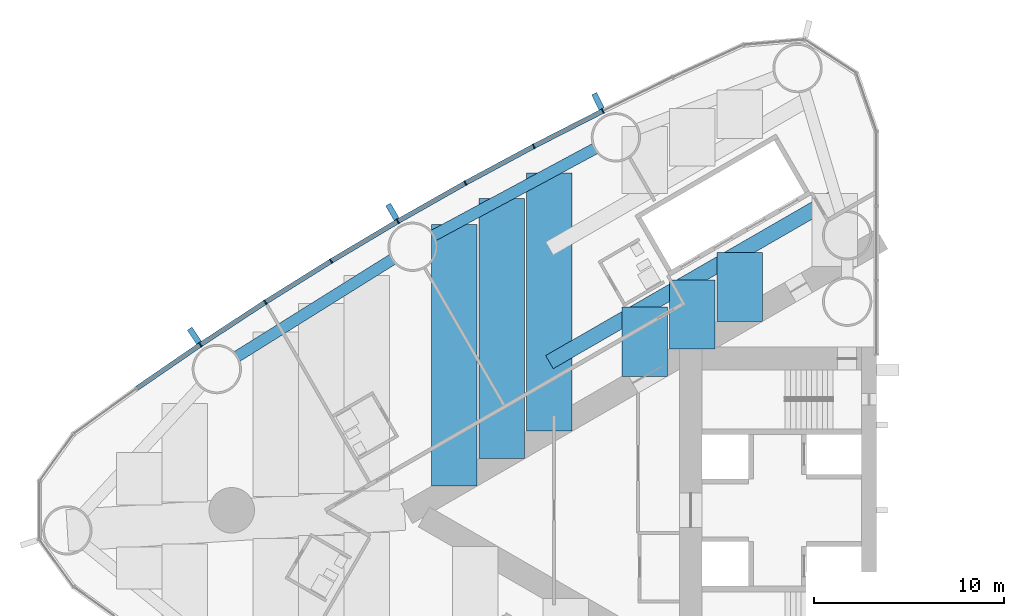
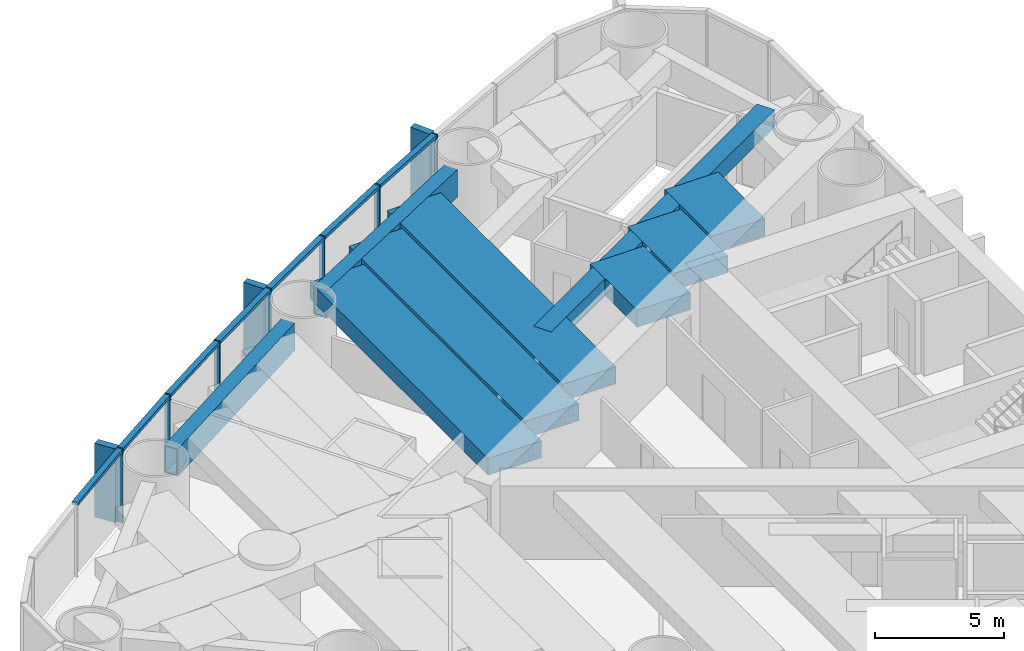
# One storey, part 4 of 18: 17 members, 9 beams, 1 element without a shape of its own.
"""IFC4 building model written with IfcOpenShell, lengths in metres."""

from ifc_helpers import new_model, si_unit, direction, frame, origin, origin_2d, place, context, subcontext, project, spatial, rectangle, hollow_rectangle, extrude, material, material_profile, profile_set, type_object, element, aggregate, save


model = new_model("IFC4")

# Units and contexts
model_context = context("Model", 3, precision=1e-05, world=origin(), true_north=direction((0.0, 1.0)))
body_context = subcontext(model_context, "Body", "Model", "MODEL_VIEW")
ifc_project = project(units=[si_unit("LENGTHUNIT", "METRE"), si_unit("AREAUNIT", "SQUARE_METRE"), si_unit("VOLUMEUNIT", "CUBIC_METRE"), si_unit("PLANEANGLEUNIT", "RADIAN"), si_unit("MASSUNIT", "GRAM", prefix="KILO")], contexts=[model_context])

# Site, building, storey
site_placement = place(None, origin())
site = spatial("IfcSite", under=ifc_project, at=site_placement, CompositionType="ELEMENT")
building_placement = place(site_placement, origin())
building = spatial("IfcBuilding", under=site, at=building_placement, Name="Lancet Gate Hotel", CompositionType="ELEMENT")
storey_placement = place(building_placement, frame((0.0, 0.0, 139.60009765625)))
storey = spatial("IfcBuildingStorey", under=building, at=storey_placement, Name="L37", CompositionType="ELEMENT", Elevation=139.60009765625)

# Curtain wall, members
ifc_material_1 = material(Name="Aluminium curtain wall", Category="aluminium")
curtain_wall_type = type_object("IfcCurtainWallType", Name="Tower unitised curtain wall", PredefinedType="USERDEFINED", material=ifc_material_1)
curtain_wall_placement = place(storey_placement, origin())
curtain_wall = element("IfcCurtainWall", 1, at=curtain_wall_placement, inside=storey, type_object=curtain_wall_type, Name="T1 L37 curtain wall 1", ObjectType="UNITISED CURTAIN WALL", PredefinedType="USERDEFINED")
ifc_material_2 = material(Name="Aluminium mullion", Category="aluminium")
ifc_material_profile_1 = material_profile(ifc_material_2, rectangle(XDim=0.06494140625, YDim=0.25, at=origin_2d()), Name="MULLION 65x250")
ifc_profile_set_1 = profile_set([ifc_material_profile_1], Name="Aluminium mullion")
member_type_1 = type_object("IfcMemberType", Name="Aluminium mullion 65x250", PredefinedType="MULLION", material=ifc_profile_set_1)
member_1_placement = place(storey_placement, frame((-41.935302734375, 21.053466796875, 0.0), z_axis=(0.0, 0.0, 1.0), x_axis=(-0.895339445458, -0.445384415317, 0.0)))
member_1 = element("IfcMember", 2, at=member_1_placement, type_object=member_type_1, Name="T1 L37 curtain wall 1 mullion 9", PredefinedType="MULLION", context=body_context, shape_type="SweptSolid", body=[
    extrude(rectangle(XDim=0.06494140625, YDim=0.25, at=origin_2d()), origin(), (0.0, 0.0, 1.0), 3.5),
])
member_2_placement = place(storey_placement, frame((-45.578857421875, 19.19189453125, 0.0), z_axis=(0.0, 0.0, 1.0), x_axis=(-0.885544335517, -0.46455487279, 0.0)))
member_2 = element("IfcMember", 3, at=member_2_placement, type_object=member_type_1, Name="T1 L37 curtain wall 1 mullion 10", PredefinedType="MULLION", context=body_context, shape_type="SweptSolid", body=[
    extrude(rectangle(XDim=0.06494140625, YDim=0.25, at=origin_2d()), origin(), (0.0, 0.0, 1.0), 3.5),
])
member_3_placement = place(storey_placement, frame((-49.181640625, 17.252197265625, 0.0), z_axis=(0.0, 0.0, 1.0), x_axis=(-0.875338819507, -0.48351003202, 0.0)))
member_3 = element("IfcMember", 4, at=member_3_placement, type_object=member_type_1, Name="T1 L37 curtain wall 1 mullion 11", PredefinedType="MULLION", context=body_context, shape_type="SweptSolid", body=[
    extrude(rectangle(XDim=0.06494140625, YDim=0.25, at=origin_2d()), origin(), (0.0, 0.0, 1.0), 3.5),
])
member_4_placement = place(storey_placement, frame((-52.74169921875, 15.2353515625, 0.0), z_axis=(0.0, 0.0, 1.0), x_axis=(-0.86472762718, -0.502241108226, 0.0)))
member_4 = element("IfcMember", 5, at=member_4_placement, type_object=member_type_1, Name="T1 L37 curtain wall 1 mullion 12", PredefinedType="MULLION", context=body_context, shape_type="SweptSolid", body=[
    extrude(rectangle(XDim=0.06494140625, YDim=0.25, at=origin_2d()), origin(), (0.0, 0.0, 1.0), 3.5),
])
member_5_placement = place(storey_placement, frame((-56.257568359375, 13.142333984375, 0.0), z_axis=(0.0, 0.0, 1.0), x_axis=(-0.853715676299, -0.52073942048, 0.0)))
member_5 = element("IfcMember", 6, at=member_5_placement, type_object=member_type_1, Name="T1 L37 curtain wall 1 mullion 13", PredefinedType="MULLION", context=body_context, shape_type="SweptSolid", body=[
    extrude(rectangle(XDim=0.06494140625, YDim=0.25, at=origin_2d()), origin(), (0.0, 0.0, 1.0), 3.5),
])
member_6_placement = place(storey_placement, frame((-59.7275390625, 10.974365234375, 0.0), z_axis=(0.0, 0.0, 1.0), x_axis=(-0.84230807036, -0.538996395727, 0.0)))
member_6 = element("IfcMember", 7, at=member_6_placement, type_object=member_type_1, Name="T1 L37 curtain wall 1 mullion 14", PredefinedType="MULLION", context=body_context, shape_type="SweptSolid", body=[
    extrude(rectangle(XDim=0.06494140625, YDim=0.25, at=origin_2d()), origin(), (0.0, 0.0, 1.0), 3.5),
])
member_7_placement = place(storey_placement, frame((-63.14990234375, 8.73193359375, 0.0), z_axis=(0.0, 0.0, 1.0), x_axis=(-0.830510096234, -0.557003572747, 0.0)))
member_7 = element("IfcMember", 8, at=member_7_placement, type_object=member_type_1, Name="T1 L37 curtain wall 1 mullion 15", PredefinedType="MULLION", context=body_context, shape_type="SweptSolid", body=[
    extrude(rectangle(XDim=0.06494140625, YDim=0.25, at=origin_2d()), origin(), (0.0, 0.0, 1.0), 3.5),
])
ifc_material_3 = material(Name="Aluminium transom", Category="aluminium")
ifc_material_profile_2 = material_profile(ifc_material_3, rectangle(XDim=0.25, YDim=0.14990234375, at=origin_2d()), Name="TRANSOM 250x150")
ifc_profile_set_2 = profile_set([ifc_material_profile_2], Name="Aluminium transom")
member_type_2 = type_object("IfcMemberType", Name="Aluminium transom 250x150", PredefinedType="USERDEFINED", material=ifc_profile_set_2)
member_8_placement = place(storey_placement, frame((-41.96435546875, 21.038818359375, 3.4248046875), z_axis=(-0.89047617483, -0.455029869415, 0.0), x_axis=(0.455029869415, -0.89047617483, 0.0)))
member_8 = element("IfcMember", 9, at=member_8_placement, type_object=member_type_2, Name="T1 L37 curtain wall 1 transom 9", ObjectType="TRANSOM", PredefinedType="USERDEFINED", context=body_context, shape_type="SweptSolid", body=[
    extrude(rectangle(XDim=0.25, YDim=0.14990234375, at=origin_2d()), origin(), (0.0, 0.0, 1.0), 4.026611328125),
])
member_9_placement = place(storey_placement, frame((-45.607421875, 19.176513671875, 3.4248046875), z_axis=(-0.880498353192, -0.474049206335, 0.0), x_axis=(0.474049206335, -0.880498353192, 0.0)))
member_9 = element("IfcMember", 10, at=member_9_placement, type_object=member_type_2, Name="T1 L37 curtain wall 1 transom 10", ObjectType="TRANSOM", PredefinedType="USERDEFINED", context=body_context, shape_type="SweptSolid", body=[
    extrude(rectangle(XDim=0.25, YDim=0.14990234375, at=origin_2d()), origin(), (0.0, 0.0, 1.0), 4.02685546875),
])
member_10_placement = place(storey_placement, frame((-49.2099609375, 17.236083984375, 3.4248046875), z_axis=(-0.870091531013, -0.492890178091, 0.0), x_axis=(0.492890178091, -0.870091531013, 0.0)))
member_10 = element("IfcMember", 11, at=member_10_placement, type_object=member_type_2, Name="T1 L37 curtain wall 1 transom 11", ObjectType="TRANSOM", PredefinedType="USERDEFINED", context=body_context, shape_type="SweptSolid", body=[
    extrude(rectangle(XDim=0.25, YDim=0.14990234375, at=origin_2d()), origin(), (0.0, 0.0, 1.0), 4.026611328125),
])
member_11_placement = place(storey_placement, frame((-52.76953125, 15.21875, 3.4248046875), z_axis=(-0.859285270342, -0.511496651186, 0.0), x_axis=(0.511496651186, -0.859285270342, 0.0)))
member_11 = element("IfcMember", 12, at=member_11_placement, type_object=member_type_2, Name="T1 L37 curtain wall 1 transom 12", ObjectType="TRANSOM", PredefinedType="USERDEFINED", context=body_context, shape_type="SweptSolid", body=[
    extrude(rectangle(XDim=0.25, YDim=0.14990234375, at=origin_2d()), origin(), (0.0, 0.0, 1.0), 4.026611328125),
])
member_12_placement = place(storey_placement, frame((-56.28515625, 13.125244140625, 3.4248046875), z_axis=(-0.848049393821, -0.529917187531, 0.0), x_axis=(0.529917187531, -0.848049393821, 0.0)))
member_12 = element("IfcMember", 13, at=member_12_placement, type_object=member_type_2, Name="T1 L37 curtain wall 1 transom 13", ObjectType="TRANSOM", PredefinedType="USERDEFINED", context=body_context, shape_type="SweptSolid", body=[
    extrude(rectangle(XDim=0.25, YDim=0.14990234375, at=origin_2d()), origin(), (0.0, 0.0, 1.0), 4.026611328125),
])
member_13_placement = place(storey_placement, frame((-59.754638671875, 10.95654296875, 3.4248046875), z_axis=(-0.83645442085, -0.548036496815, 0.0), x_axis=(0.548036496815, -0.83645442085, 0.0)))
member_13 = element("IfcMember", 14, at=member_13_placement, type_object=member_type_2, Name="T1 L37 curtain wall 1 transom 14", ObjectType="TRANSOM", PredefinedType="USERDEFINED", context=body_context, shape_type="SweptSolid", body=[
    extrude(rectangle(XDim=0.25, YDim=0.14990234375, at=origin_2d()), origin(), (0.0, 0.0, 1.0), 4.026611328125),
])
member_14_placement = place(storey_placement, frame((-63.1767578125, 8.713623046875, 3.4248046875), z_axis=(-0.824455665247, -0.565926546508, 0.0), x_axis=(0.565926546508, -0.824455665247, 0.0)))
member_14 = element("IfcMember", 15, at=member_14_placement, type_object=member_type_2, Name="T1 L37 curtain wall 1 transom 15", ObjectType="TRANSOM", PredefinedType="USERDEFINED", context=body_context, shape_type="SweptSolid", body=[
    extrude(rectangle(XDim=0.25, YDim=0.14990234375, at=origin_2d()), origin(), (0.0, 0.0, 1.0), 4.026611328125),
])

# Beams
ifc_material_4 = material(Name="Steel S460QL", Category="steel")
ifc_material_profile_3 = material_profile(ifc_material_4, hollow_rectangle(XDim=0.60009765625, YDim=1.300048828125, WallThickness=0.050048828125, at=origin_2d()), Name="BOX 1300x600x50")
ifc_profile_set_3 = profile_set([ifc_material_profile_3], Name="Steel S460QL")
beam_type_1 = type_object("IfcBeamType", Name="Edge beam BOX 1300x600x50", PredefinedType="SPANDREL", material=ifc_profile_set_3)
beam_1_placement = place(storey_placement, frame((-42.345703125, 19.0732421875, 2.599853515625), z_axis=(-0.880484066736, -0.474075741021, 0.0), x_axis=(0.474075741021, -0.880484066736, 0.0)))
element("IfcBeam", 16, at=beam_1_placement, inside=storey, type_object=beam_type_1, Name="T1 edge beam EB2 L37", PredefinedType="SPANDREL", context=body_context, shape_type="SweptSolid", body=[
    extrude(hollow_rectangle(XDim=0.60009765625, YDim=1.300048828125, WallThickness=0.050048828125, at=origin_2d()), origin(), (0.0, 0.0, 1.0), 9.6728515625),
])
beam_2_placement = place(storey_placement, frame((-53.023193359375, 13.232666015625, 2.599853515625), z_axis=(-0.848062104807, -0.529896845047, 0.0), x_axis=(0.529896845047, -0.848062104807, 0.0)))
element("IfcBeam", 17, at=beam_2_placement, inside=storey, type_object=beam_type_1, Name="T1 edge beam EB2 L37", PredefinedType="SPANDREL", context=body_context, shape_type="SweptSolid", body=[
    extrude(hollow_rectangle(XDim=0.60009765625, YDim=1.300048828125, WallThickness=0.050048828125, at=origin_2d()), origin(), (0.0, 0.0, 1.0), 9.673095703125),
])

# Member
ifc_material_5 = material(Name="Precast concrete C50/60", Category="concrete")
ifc_material_profile_4 = material_profile(ifc_material_5, rectangle(XDim=0.300048828125, YDim=0.89990234375, at=origin_2d()), Name="FIN 300x900")
ifc_profile_set_4 = profile_set([ifc_material_profile_4], Name="Precast concrete C50/60")
member_type_3 = type_object("IfcMemberType", Name="Exposed concrete fin 300x900", PredefinedType="USERDEFINED", material=ifc_profile_set_4)
member_15_placement = place(storey_placement, frame((-42.19140625, 21.568359375, 0.0), z_axis=(0.0, 0.0, 1.0), x_axis=(-0.895339445458, -0.445384415317, 0.0)))
member_15 = element("IfcMember", 18, at=member_15_placement, type_object=member_type_3, Name="T1 L37 curtain wall 1 fin 9", ObjectType="FIN", PredefinedType="USERDEFINED", context=body_context, shape_type="SweptSolid", body=[
    extrude(rectangle(XDim=0.300048828125, YDim=0.89990234375, at=origin_2d()), origin(), (0.0, 0.0, 1.0), 3.5),
])

member_16_placement = place(storey_placement, frame((-53.030517578125, 15.732666015625, 0.0), z_axis=(0.0, 0.0, 1.0), x_axis=(-0.86472762718, -0.502241108226, 0.0)))
member_16 = element("IfcMember", 19, at=member_16_placement, type_object=member_type_3, Name="T1 L37 curtain wall 1 fin 12", ObjectType="FIN", PredefinedType="USERDEFINED", context=body_context, shape_type="SweptSolid", body=[
    extrude(rectangle(XDim=0.300048828125, YDim=0.89990234375, at=origin_2d()), origin(), (0.0, 0.0, 1.0), 3.5),
])

member_17_placement = place(storey_placement, frame((-63.47021484375, 9.20947265625, 0.0), z_axis=(0.0, 0.0, 1.0), x_axis=(-0.830510096234, -0.557003572747, 0.0)))
member_17 = element("IfcMember", 20, at=member_17_placement, type_object=member_type_3, Name="T1 L37 curtain wall 1 fin 15", ObjectType="FIN", PredefinedType="USERDEFINED", context=body_context, shape_type="SweptSolid", body=[
    extrude(rectangle(XDim=0.300048828125, YDim=0.89990234375, at=origin_2d()), origin(), (0.0, 0.0, 1.0), 3.5),
])

aggregate(curtain_wall, [member_1, member_15, member_2, member_3, member_4, member_16, member_5, member_6, member_7, member_17, member_8, member_9, member_10, member_11, member_12, member_13, member_14])

# Beams
ifc_material_6 = material(Name="Concrete C50/60", Category="concrete")
ifc_material_profile_5 = material_profile(ifc_material_6, rectangle(XDim=2.39990234375, YDim=0.800048828125, at=origin_2d()), Name="RC 2400x800")
ifc_profile_set_5 = profile_set([ifc_material_profile_5], Name="Concrete C50/60")
beam_type_2 = type_object("IfcBeamType", Name="Floor beam RC 2400x800", PredefinedType="BEAM", material=ifc_profile_set_5)
beam_3_placement = place(storey_placement, frame((-44.747802734375, 17.77978515625, 2.849853515625), z_axis=(0.0, -1.0, 0.0), x_axis=(1.0, 0.0, 0.0)))
element("IfcBeam", 21, at=beam_3_placement, inside=storey, type_object=beam_type_2, Name="T1 floor beam F09S L37", PredefinedType="BEAM", context=body_context, shape_type="SweptSolid", body=[
    extrude(rectangle(XDim=2.39990234375, YDim=0.800048828125, at=origin_2d()), origin(), (0.0, 0.0, 1.0), 13.611083984375),
])
beam_4_placement = place(storey_placement, frame((-47.254638671875, 16.43017578125, 2.849853515625), z_axis=(0.0, -1.0, 0.0), x_axis=(1.0, 0.0, 0.0)))
element("IfcBeam", 22, at=beam_4_placement, inside=storey, type_object=beam_type_2, Name="T1 floor beam F10S L37", PredefinedType="BEAM", context=body_context, shape_type="SweptSolid", body=[
    extrude(rectangle(XDim=2.39990234375, YDim=0.800048828125, at=origin_2d()), origin(), (0.0, 0.0, 1.0), 13.708740234375),
])
beam_5_placement = place(storey_placement, frame((-49.761474609375, 15.08056640625, 2.849853515625), z_axis=(0.0, -1.0, 0.0), x_axis=(1.0, 0.0, 0.0)))
element("IfcBeam", 23, at=beam_5_placement, inside=storey, type_object=beam_type_2, Name="T1 floor beam F12S L37", PredefinedType="BEAM", context=body_context, shape_type="SweptSolid", body=[
    extrude(rectangle(XDim=2.39990234375, YDim=0.800048828125, at=origin_2d()), origin(), (0.0, 0.0, 1.0), 13.806396484375),
])
beam_6_placement = place(storey_placement, frame((-34.720458984375, 13.603759765625, 2.849853515625), z_axis=(0.0, -1.0, 0.0), x_axis=(1.0, 0.0, 0.0)))
element("IfcBeam", 24, at=beam_6_placement, inside=storey, type_object=beam_type_2, Name="T1 floor beam F04SB L37", PredefinedType="BEAM", context=body_context, shape_type="SweptSolid", body=[
    extrude(rectangle(XDim=2.39990234375, YDim=0.800048828125, at=origin_2d()), origin(), (0.0, 0.0, 1.0), 3.645751953125),
])
beam_7_placement = place(storey_placement, frame((-37.227294921875, 12.15625, 2.849853515625), z_axis=(0.0, -1.0, 0.0), x_axis=(1.0, 0.0, 0.0)))
element("IfcBeam", 25, at=beam_7_placement, inside=storey, type_object=beam_type_2, Name="T1 floor beam F05SB L37", PredefinedType="BEAM", context=body_context, shape_type="SweptSolid", body=[
    extrude(rectangle(XDim=2.39990234375, YDim=0.800048828125, at=origin_2d()), origin(), (0.0, 0.0, 1.0), 3.6455078125),
])
beam_8_placement = place(storey_placement, frame((-39.734130859375, 10.708740234375, 2.849853515625), z_axis=(0.0, -1.0, 0.0), x_axis=(1.0, 0.0, 0.0)))
element("IfcBeam", 26, at=beam_8_placement, inside=storey, type_object=beam_type_2, Name="T1 floor beam F07SB L37", PredefinedType="BEAM", context=body_context, shape_type="SweptSolid", body=[
    extrude(rectangle(XDim=2.39990234375, YDim=0.800048828125, at=origin_2d()), origin(), (0.0, 0.0, 1.0), 3.645263671875),
])
ifc_material_7 = material(Name="Steel S460QL", Category="steel")
ifc_material_profile_6 = material_profile(ifc_material_7, hollow_rectangle(XDim=0.800048828125, YDim=0.800048828125, WallThickness=0.080078125, at=origin_2d()), Name="BOX 800x800x80")
ifc_profile_set_6 = profile_set([ifc_material_profile_6], Name="Steel S460QL")
beam_type_3 = type_object("IfcBeamType", Name="Trimmer beam BOX 800x800x80", PredefinedType="BEAM", material=ifc_profile_set_6)
beam_9_placement = place(storey_placement, frame((-29.706787109375, 16.49853515625, 2.849853515625), z_axis=(-0.866003462672, -0.500038001195, 0.0), x_axis=(0.500038001195, -0.866003462672, 0.0)))
element("IfcBeam", 27, at=beam_9_placement, inside=storey, type_object=beam_type_3, Name="T1 trimmer beam TR02S L37", PredefinedType="BEAM", context=body_context, shape_type="SweptSolid", body=[
    extrude(hollow_rectangle(XDim=0.800048828125, YDim=0.800048828125, WallThickness=0.080078125, at=origin_2d()), origin(), (0.0, 0.0, 1.0), 17.368408203125),
])

save(model, "model.ifc")
